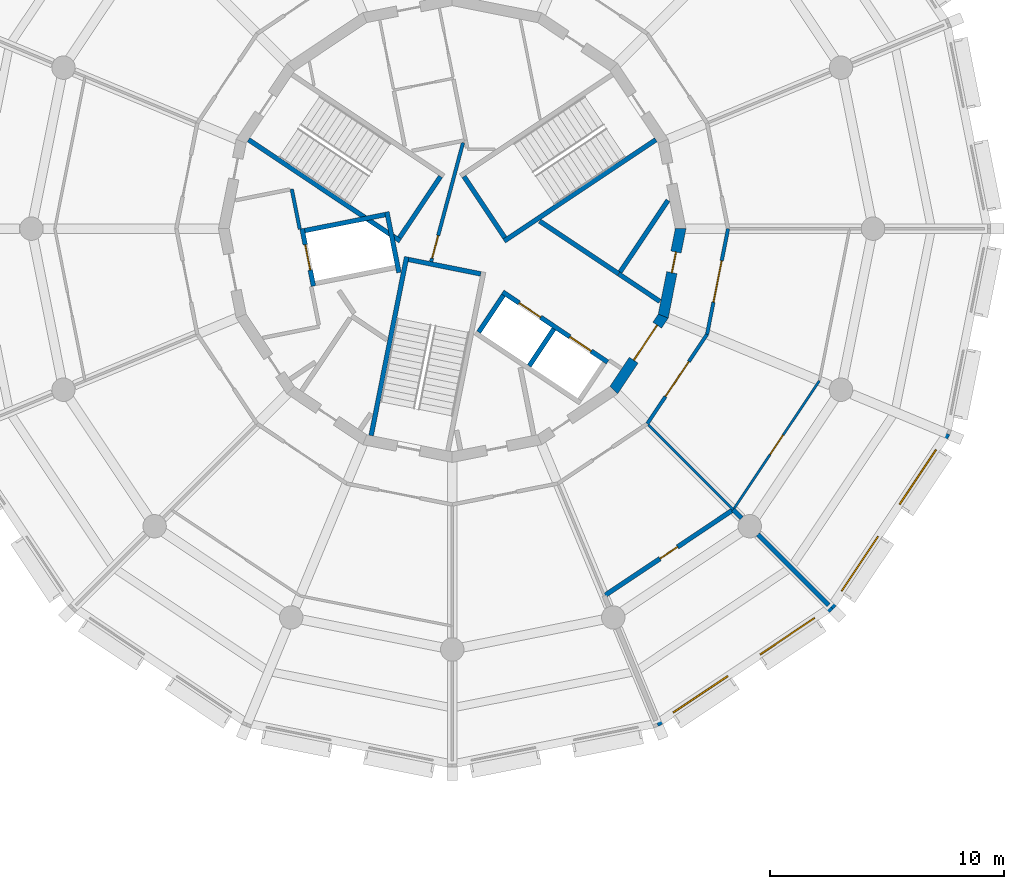
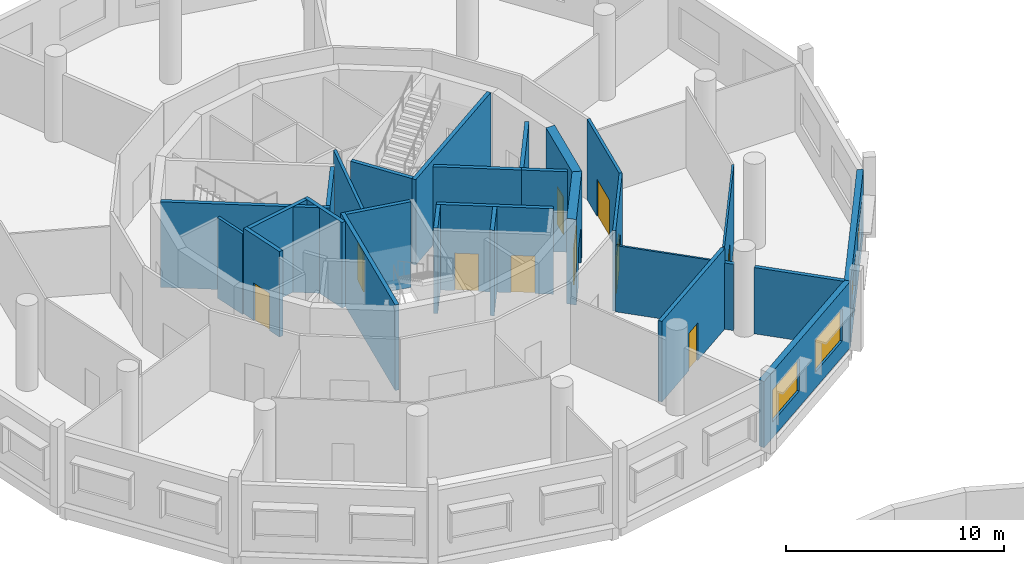
# One storey, part 4 of 8: 28 walls, 10 doors, 4 windows, 14 openings.
"""IFC4 building model written with IfcOpenShell, lengths in metres."""

from ifc_helpers import new_model, si_unit, direction, frame, frame_2d, origin, place, context, subcontext, project, spatial, polyline, rectangle, outline, extrude, material, layer, layer_set, type_object, element, fill, save


model = new_model("IFC4")

# Units and contexts
model_context = context("Model", 3, precision=1e-05, world=origin(), true_north=direction((0.0, 1.0)))
body_context = subcontext(model_context, "Body", "Model", "MODEL_VIEW")
ifc_project = project(units=[si_unit("LENGTHUNIT", "METRE"), si_unit("AREAUNIT", "SQUARE_METRE"), si_unit("VOLUMEUNIT", "CUBIC_METRE"), si_unit("PLANEANGLEUNIT", "RADIAN"), si_unit("MASSUNIT", "GRAM", prefix="KILO")], contexts=[model_context])

# Site, building, storey
site_placement = place(None, origin())
site = spatial("IfcSite", under=ifc_project, at=site_placement, CompositionType="ELEMENT")
building_placement = place(site_placement, origin())
building = spatial("IfcBuilding", under=site, at=building_placement, Name="Ceibo Conservatory and Research Tower", CompositionType="ELEMENT")
storey_placement = place(building_placement, frame((0.0, 0.0, 10.800048828125)))
storey = spatial("IfcBuildingStorey", under=building, at=storey_placement, Name="L02", CompositionType="ELEMENT", Elevation=10.800048828125)

# Wall, opening, door
ifc_material_1 = material(Name="Masonry blockwork", Category="masonry")
ifc_layer_1 = layer(ifc_material_1, 0.199951171875)
ifc_layer_set_1 = layer_set([ifc_layer_1], Name="Masonry blockwork")
wall_type_1 = type_object("IfcWallType", Name="Compartment wall 200 EI 120", PredefinedType="SOLIDWALL", material=ifc_layer_set_1)
wall_1_placement = place(storey_placement, frame((59.982666015625, 107.95361328125, 0.0), z_axis=(0.0, 0.0, 1.0), x_axis=(-0.831469879838, -0.555569832625, 0.0)))
wall_1 = element("IfcWall", 1, at=wall_1_placement, inside=storey, type_object=wall_type_1, Name="Partition 02.036", PredefinedType="SOLIDWALL", context=body_context, shape_type="SweptSolid", body=[
    extrude(rectangle(XDim=6.541015625, YDim=0.199951171875, at=frame_2d((3.2705078125, 0.0))), origin(), (0.0, 0.0, 1.0), 4.52001953125),
])
opening_1_placement = place(wall_1_placement, frame((2.8203125, 0.0, 0.0)))
opening_1 = element("IfcOpeningElement", 2, at=opening_1_placement, cuts=wall_1, Name="Opening T02-10", PredefinedType="OPENING", context=body_context, shape_type="SweptSolid", body=[
    extrude(rectangle(XDim=0.89990234375, YDim=2.10009765625, at=frame_2d((0.449951171875, 1.050048828125))), frame((0.0, 0.10986328125, 0.0), z_axis=(0.0, -1.0, 0.0), x_axis=(1.0, 0.0, 0.0)), (0.0, 0.0, 1.0), 0.219970703125),
])
ifc_material_2 = material(Name="Solid timber", Category="wood")
door_type_1 = type_object("IfcDoorType", Name="Door single 900x2100 (right hand)", OperationType="SINGLE_SWING_RIGHT", PredefinedType="DOOR", material=ifc_material_2)
door_1_placement = place(opening_1_placement, origin())
door_1 = element("IfcDoor", 3, at=door_1_placement, inside=storey, type_object=door_type_1, Name="Door T02-10", OperationType="SINGLE_SWING_RIGHT", OverallHeight=2.10009765625, OverallWidth=0.89990234375, PredefinedType="DOOR", context=body_context, shape_type="SweptSolid", body=[
    extrude(rectangle(XDim=0.89990234375, YDim=2.10009765625, at=frame_2d((0.449951171875, 1.050048828125))), frame((0.0, 0.02490234375, 0.0), z_axis=(0.0, -1.0, 0.0), x_axis=(1.0, 0.0, 0.0)), (0.0, 0.0, 1.0), 0.050048828125),
])
fill(opening_1, door_1)

# Walls
wall_2_placement = place(storey_placement, frame((60.020751953125, 107.979248046875, 0.0), z_axis=(0.0, 0.0, 1.0), x_axis=(0.707106781187, -0.707106781187, 0.0)))
element("IfcWall", 4, at=wall_2_placement, inside=storey, type_object=wall_type_1, Name="Partition 02.038", PredefinedType="SOLIDWALL", context=body_context, shape_type="SweptSolid", body=[
    extrude(rectangle(XDim=0.510009765625, YDim=0.199951171875, at=frame_2d((0.2548828125, 0.0))), origin(), (0.0, 0.0, 1.0), 3.719970703125),
])
wall_3_placement = place(storey_placement, frame((61.074462890625, 106.925537109375, 0.0), z_axis=(0.0, 0.0, 1.0), x_axis=(0.707106781187, -0.707106781187, 0.0)))
element("IfcWall", 5, at=wall_3_placement, inside=storey, type_object=wall_type_1, Name="Partition 02.039", PredefinedType="SOLIDWALL", context=body_context, shape_type="SweptSolid", body=[
    extrude(rectangle(XDim=4.27685546875, YDim=0.199951171875, at=frame_2d((2.138427734375, 0.0))), origin(), (0.0, 0.0, 1.0), 3.719970703125),
])

# Wall, opening, door
ifc_material_3 = material(Name="Concrete C40/50", Category="concrete")
ifc_layer_2 = layer(ifc_material_3, 0.449951171875)
ifc_layer_set_2 = layer_set([ifc_layer_2], Name="Concrete C40/50")
wall_type_2 = type_object("IfcWallType", Name="Core wall 450 C40", PredefinedType="SHEAR", material=ifc_layer_set_2)
wall_4_placement = place(storey_placement, frame((54.908935546875, 113.091064453125, 0.0), z_axis=(0.0, 0.0, 1.0), x_axis=(0.555542277102, 0.83148829117, 0.0)))
wall_4 = element("IfcWall", 6, at=wall_4_placement, inside=storey, type_object=wall_type_2, Name="Core wall L02 15", PredefinedType="SHEAR", context=body_context, shape_type="SweptSolid", body=[
    extrude(outline(polyline([(-0.044677734375, -0.22509765625), (3.85693359375, -0.22509765625), (3.767578125, 0.22509765625), (0.044677734375, 0.22509765625), (-0.044677734375, -0.22509765625)])), origin(), (0.0, 0.0, 1.0), 4.800048828125),
])
opening_2_placement = place(wall_4_placement, frame((1.544677734375, 0.0, 0.0)))
opening_2 = element("IfcOpeningElement", 7, at=opening_2_placement, cuts=wall_4, Name="Opening C02-14", PredefinedType="OPENING", context=body_context, shape_type="SweptSolid", body=[
    extrude(rectangle(XDim=1.800048828125, YDim=2.10009765625, at=frame_2d((0.89990234375, 1.050048828125))), frame((0.0, 0.23486328125, 0.0), z_axis=(0.0, -1.0, 0.0), x_axis=(1.0, 0.0, 0.0)), (0.0, 0.0, 1.0), 0.469970703125),
])
ifc_material_4 = material(Name="Galvanised sheet steel DX51D", Category="steel")
door_type_2 = type_object("IfcDoorType", Name="Lobby double door 1800x2100 EI 60", OperationType="DOUBLE_DOOR_SINGLE_SWING", PredefinedType="DOOR", material=ifc_material_4)
door_2_placement = place(opening_2_placement, origin())
door_2 = element("IfcDoor", 8, at=door_2_placement, inside=storey, type_object=door_type_2, Name="Lift Lobby door 02", OperationType="DOUBLE_DOOR_SINGLE_SWING", OverallHeight=2.10009765625, OverallWidth=1.800048828125, PredefinedType="DOOR", context=body_context, shape_type="SweptSolid", body=[
    extrude(rectangle(XDim=1.800048828125, YDim=2.10009765625, at=frame_2d((0.89990234375, 1.050048828125))), frame((0.0, 0.02490234375, 0.0), z_axis=(0.0, -1.0, 0.0), x_axis=(1.0, 0.0, 0.0)), (0.0, 0.0, 1.0), 0.050048828125),
])
fill(opening_2, door_2)

wall_5_placement = place(storey_placement, frame((57.02685546875, 116.260986328125, 0.0), z_axis=(0.0, 0.0, 1.0), x_axis=(0.195069197673, 0.98078948206, 0.0)))
wall_5 = element("IfcWall", 9, at=wall_5_placement, inside=storey, type_object=wall_type_2, Name="Core wall L02 16", PredefinedType="SHEAR", context=body_context, shape_type="SweptSolid", body=[
    extrude(outline(polyline([(-0.044677734375, -0.22509765625), (3.85693359375, -0.22509765625), (3.767578125, 0.22509765625), (0.044677734375, 0.22509765625), (-0.044677734375, -0.22509765625)])), origin(), (0.0, 0.0, 1.0), 4.800048828125),
])
opening_3_placement = place(wall_5_placement, frame((1.894775390625, 0.0, 0.0)))
opening_3 = element("IfcOpeningElement", 10, at=opening_3_placement, cuts=wall_5, Name="Opening C02-05", PredefinedType="OPENING", context=body_context, shape_type="SweptSolid", body=[
    extrude(rectangle(XDim=0.89990234375, YDim=2.10009765625, at=frame_2d((0.449951171875, 1.050048828125))), frame((0.0, 0.23486328125, 0.0), z_axis=(0.0, -1.0, 0.0), x_axis=(1.0, 0.0, 0.0)), (0.0, 0.0, 1.0), 0.469970703125),
])
door_type_3 = type_object("IfcDoorType", Name="Riser door 900x2100 EI 60 (right hand)", OperationType="SINGLE_SWING_RIGHT", PredefinedType="DOOR", material=ifc_material_4)
door_3_placement = place(opening_3_placement, frame((0.89990234375, 0.0, 0.0), z_axis=(0.0, 0.0, 1.0), x_axis=(-1.0, 0.0, 0.0)))
door_3 = element("IfcDoor", 11, at=door_3_placement, inside=storey, type_object=door_type_3, Name="Electrical Riser door 02", OperationType="SINGLE_SWING_RIGHT", OverallHeight=2.10009765625, OverallWidth=0.89990234375, PredefinedType="DOOR", context=body_context, shape_type="SweptSolid", body=[
    extrude(rectangle(XDim=0.89990234375, YDim=2.10009765625, at=frame_2d((0.449951171875, 1.050048828125))), frame((0.0, 0.02490234375, 0.0), z_axis=(0.0, -1.0, 0.0), x_axis=(1.0, 0.0, 0.0)), (0.0, 0.0, 1.0), 0.050048828125),
])
fill(opening_3, door_3)

# Wall
ifc_material_5 = material(Name="Plasterboard on metal studs, fire board")
ifc_layer_3 = layer(ifc_material_5, 0.14990234375)
ifc_layer_set_3 = layer_set([ifc_layer_3], Name="Plasterboard on metal studs, fire board")
wall_type_3 = type_object("IfcWallType", Name="Corridor wall 150 EI 60", PredefinedType="PARTITIONING", material=ifc_layer_set_3)
wall_6_placement = place(storey_placement, frame((41.47900390625, 119.977294921875, 0.0), z_axis=(0.0, 0.0, 1.0), x_axis=(-0.19501613536, 0.98080003413, 0.0)))
element("IfcWall", 12, at=wall_6_placement, inside=storey, type_object=wall_type_3, Name="Core partition 02.P006", PredefinedType="PARTITIONING", context=body_context, shape_type="SweptSolid", body=[
    extrude(rectangle(XDim=1.750244140625, YDim=0.14990234375, at=frame_2d((0.875, 0.0))), origin(), (0.0, 0.0, 1.0), 4.52001953125),
])

# Wall, opening, door
wall_7_placement = place(storey_placement, frame((47.10205078125, 118.595458984375, 0.0), z_axis=(0.0, 0.0, 1.0), x_axis=(0.258814124304, 0.9659271448, 0.0)))
wall_7 = element("IfcWall", 13, at=wall_7_placement, inside=storey, type_object=wall_type_3, Name="Core partition 02.P026", PredefinedType="PARTITIONING", context=body_context, shape_type="SweptSolid", body=[
    extrude(rectangle(XDim=5.2646484375, YDim=0.14990234375, at=frame_2d((2.63232421875, 0.0))), origin(), (0.0, 0.0, 1.0), 4.52001953125),
])
opening_4_placement = place(wall_7_placement, frame((0.14990234375, 0.0, 0.0)))
opening_4 = element("IfcOpeningElement", 14, at=opening_4_placement, cuts=wall_7, Name="Opening C02-18", PredefinedType="OPENING", context=body_context, shape_type="SweptSolid", body=[
    extrude(rectangle(XDim=1.0, YDim=2.10009765625, at=frame_2d((0.5, 1.050048828125))), frame((0.0, 0.0849609375, 0.0), z_axis=(0.0, -1.0, 0.0), x_axis=(1.0, 0.0, 0.0)), (0.0, 0.0, 1.0), 0.169921875),
])
door_type_4 = type_object("IfcDoorType", Name="Lobby door 1000x2100 EI 60 (right hand)", OperationType="SINGLE_SWING_RIGHT", PredefinedType="DOOR", material=ifc_material_4)
door_4_placement = place(opening_4_placement, frame((1.0, 0.0, 0.0), z_axis=(0.0, 0.0, 1.0), x_axis=(-1.0, 0.0, 0.0)))
door_4 = element("IfcDoor", 15, at=door_4_placement, inside=storey, type_object=door_type_4, Name="Door Lift Lobby 02.01", OperationType="SINGLE_SWING_RIGHT", OverallHeight=2.10009765625, OverallWidth=1.0, PredefinedType="DOOR", context=body_context, shape_type="SweptSolid", body=[
    extrude(rectangle(XDim=1.0, YDim=2.10009765625, at=frame_2d((0.5, 1.050048828125))), frame((0.0, 0.02490234375, 0.0), z_axis=(0.0, -1.0, 0.0), x_axis=(1.0, 0.0, 0.0)), (0.0, 0.0, 1.0), 0.050048828125),
])
fill(opening_4, door_4)

wall_8_placement = place(storey_placement, frame((59.800048828125, 120.0, 0.0), z_axis=(0.0, 0.0, 1.0), x_axis=(-0.19508608079, -0.980786124026, 0.0)))
wall_8 = element("IfcWall", 16, at=wall_8_placement, inside=storey, type_object=wall_type_3, Name="Partition 02.015", PredefinedType="PARTITIONING", context=body_context, shape_type="SweptSolid", body=[
    extrude(rectangle(XDim=4.60400390625, YDim=0.14990234375, at=frame_2d((2.302001953125, 0.0))), origin(), (0.0, 0.0, 1.0), 4.52001953125),
])
opening_5_placement = place(wall_8_placement, frame((1.402099609375, 0.0, 0.0)))
opening_5 = element("IfcOpeningElement", 17, at=opening_5_placement, cuts=wall_8, Name="Opening T02-12", PredefinedType="OPENING", context=body_context, shape_type="SweptSolid", body=[
    extrude(rectangle(XDim=1.800048828125, YDim=2.10009765625, at=frame_2d((0.89990234375, 1.050048828125))), frame((0.0, 0.0849609375, 0.0), z_axis=(0.0, -1.0, 0.0), x_axis=(1.0, 0.0, 0.0)), (0.0, 0.0, 1.0), 0.169921875),
])
door_type_5 = type_object("IfcDoorType", Name="Door fire double 1800x2100 EI 60", OperationType="DOUBLE_DOOR_SINGLE_SWING", PredefinedType="DOOR", material=ifc_material_4)
door_5_placement = place(opening_5_placement, origin())
door_5 = element("IfcDoor", 18, at=door_5_placement, inside=storey, type_object=door_type_5, Name="Door T02-12", OperationType="DOUBLE_DOOR_SINGLE_SWING", OverallHeight=2.10009765625, OverallWidth=1.800048828125, PredefinedType="DOOR", context=body_context, shape_type="SweptSolid", body=[
    extrude(rectangle(XDim=1.800048828125, YDim=2.10009765625, at=frame_2d((0.89990234375, 1.050048828125))), frame((0.0, 0.02490234375, 0.0), z_axis=(0.0, -1.0, 0.0), x_axis=(1.0, 0.0, 0.0)), (0.0, 0.0, 1.0), 0.050048828125),
])
fill(opening_5, door_5)

wall_9_placement = place(storey_placement, frame((58.90185546875, 115.484375, 0.0), z_axis=(0.0, 0.0, 1.0), x_axis=(-0.555544233776, -0.831486983854, 0.0)))
wall_9 = element("IfcWall", 19, at=wall_9_placement, inside=storey, type_object=wall_type_3, Name="Partition 02.016", PredefinedType="PARTITIONING", context=body_context, shape_type="SweptSolid", body=[
    extrude(rectangle(XDim=4.604248046875, YDim=0.14990234375, at=frame_2d((2.30224609375, 0.0))), origin(), (0.0, 0.0, 1.0), 4.52001953125),
])
opening_6_placement = place(wall_9_placement, frame((1.402099609375, 0.0, 0.0)))
opening_6 = element("IfcOpeningElement", 20, at=opening_6_placement, cuts=wall_9, Name="Opening T02-11", PredefinedType="OPENING", context=body_context, shape_type="SweptSolid", body=[
    extrude(rectangle(XDim=1.800048828125, YDim=2.10009765625, at=frame_2d((0.89990234375, 1.050048828125))), frame((0.0, 0.0849609375, 0.0), z_axis=(0.0, -1.0, 0.0), x_axis=(1.0, 0.0, 0.0)), (0.0, 0.0, 1.0), 0.169921875),
])
door_6_placement = place(opening_6_placement, origin())
door_6 = element("IfcDoor", 21, at=door_6_placement, inside=storey, type_object=door_type_5, Name="Door T02-11", OperationType="DOUBLE_DOOR_SINGLE_SWING", OverallHeight=2.10009765625, OverallWidth=1.800048828125, PredefinedType="DOOR", context=body_context, shape_type="SweptSolid", body=[
    extrude(rectangle(XDim=1.800048828125, YDim=2.10009765625, at=frame_2d((0.89990234375, 1.050048828125))), frame((0.0, 0.02490234375, 0.0), z_axis=(0.0, -1.0, 0.0), x_axis=(1.0, 0.0, 0.0)), (0.0, 0.0, 1.0), 0.050048828125),
])
fill(opening_6, door_6)

# Wall, openings, windows
ifc_material_6 = material(Name="Ceramic mosaic tessera")
ifc_layer_4 = layer(ifc_material_6, 0.010009765625, Name="Ceramic mosaic")
ifc_material_7 = material(Name="Polymer-modified bedding mortar")
ifc_layer_5 = layer(ifc_material_7, 0.014892578125, Name="Bedding mortar")
ifc_material_8 = material(Name="Mineral wool insulation")
ifc_layer_6 = layer(ifc_material_8, 0.050048828125, Name="Insulation")
ifc_material_9 = material(Name="Concrete C30/37", Category="concrete")
ifc_layer_7 = layer(ifc_material_9, 0.215087890625, Name="Reinforced concrete leaf")
ifc_material_10 = material(Name="Gypsum plaster")
ifc_layer_8 = layer(ifc_material_10, 0.010009765625, Name="Internal plaster")
ifc_layer_set_4 = layer_set([ifc_layer_4, ifc_layer_5, ifc_layer_6, ifc_layer_7, ifc_layer_8], Name="Concrete C30/37")
wall_type_4 = type_object("IfcWallType", Name="Facade panel wall 300", PredefinedType="SOLIDWALL", material=ifc_layer_set_4)
wall_10_placement = place(storey_placement, frame((56.763427734375, 98.84326171875, 0.0), z_axis=(0.0, 0.0, 1.0), x_axis=(0.83146552215, 0.555576354317, 0.0)))
wall_10 = element("IfcWall", 22, at=wall_10_placement, inside=storey, type_object=wall_type_4, Name="Facade wall L02 facet 14", PredefinedType="SOLIDWALL", context=body_context, shape_type="SweptSolid", body=[
    extrude(outline(polyline([(-0.02978515625, -0.14990234375), (8.96484375, -0.14990234375), (8.9052734375, 0.14990234375), (0.02978515625, 0.14990234375), (-0.02978515625, -0.14990234375)])), origin(), (0.0, 0.0, 1.0), 3.719970703125),
])
opening_7_placement = place(wall_10_placement, frame((0.833740234375, 0.0, 0.89990234375)))
opening_7 = element("IfcOpeningElement", 23, at=opening_7_placement, cuts=wall_10, Name="Opening PW2", PredefinedType="OPENING", context=body_context, shape_type="SweptSolid", body=[
    extrude(rectangle(XDim=2.800048828125, YDim=1.800048828125, at=frame_2d((1.39990234375, 0.89990234375))), frame((0.0, 0.159912109375, 0.0), z_axis=(0.0, -1.0, 0.0), x_axis=(1.0, 0.0, 0.0)), (0.0, 0.0, 1.0), 0.320068359375),
])
opening_8_placement = place(wall_10_placement, frame((5.301513671875, 0.0, 0.89990234375)))
opening_8 = element("IfcOpeningElement", 24, at=opening_8_placement, cuts=wall_10, Name="Opening PW2", PredefinedType="OPENING", context=body_context, shape_type="SweptSolid", body=[
    extrude(rectangle(XDim=2.800048828125, YDim=1.800048828125, at=frame_2d((1.39990234375, 0.89990234375))), frame((0.0, 0.159912109375, 0.0), z_axis=(0.0, -1.0, 0.0), x_axis=(1.0, 0.0, 0.0)), (0.0, 0.0, 1.0), 0.320068359375),
])
ifc_material_11 = material(Name="Aluminium frame with double glazing", Category="aluminium")
window_type = type_object("IfcWindowType", Name="Punched window PW1 2800 x 1800", PartitioningType="DOUBLE_PANEL_VERTICAL", PredefinedType="WINDOW", material=ifc_material_11)
window_1_placement = place(opening_7_placement, origin())
window_1 = element("IfcWindow", 25, at=window_1_placement, inside=storey, type_object=window_type, Name="T.L02.F13.WIN.1", OverallHeight=1.800048828125, OverallWidth=2.800048828125, PartitioningType="DOUBLE_PANEL_VERTICAL", PredefinedType="WINDOW", context=body_context, shape_type="SweptSolid", body=[
    extrude(rectangle(XDim=2.800048828125, YDim=1.800048828125, at=frame_2d((1.39990234375, 0.89990234375))), frame((0.0, 0.030029296875, 0.0), z_axis=(0.0, -1.0, 0.0), x_axis=(1.0, 0.0, 0.0)), (0.0, 0.0, 1.0), 0.06005859375),
])
fill(opening_7, window_1)
window_2_placement = place(opening_8_placement, origin())
window_2 = element("IfcWindow", 26, at=window_2_placement, inside=storey, type_object=window_type, Name="T.L02.F13.WIN.2", OverallHeight=1.800048828125, OverallWidth=2.800048828125, PartitioningType="DOUBLE_PANEL_VERTICAL", PredefinedType="WINDOW", context=body_context, shape_type="SweptSolid", body=[
    extrude(rectangle(XDim=2.800048828125, YDim=1.800048828125, at=frame_2d((1.39990234375, 0.89990234375))), frame((0.0, 0.030029296875, 0.0), z_axis=(0.0, -1.0, 0.0), x_axis=(1.0, 0.0, 0.0)), (0.0, 0.0, 1.0), 0.06005859375),
])
fill(opening_8, window_2)

wall_11_placement = place(storey_placement, frame((64.192626953125, 103.807373046875, 0.0), z_axis=(0.0, 0.0, 1.0), x_axis=(0.555576354317, 0.83146552215, 0.0)))
wall_11 = element("IfcWall", 27, at=wall_11_placement, inside=storey, type_object=wall_type_4, Name="Facade wall L02 facet 15", PredefinedType="SOLIDWALL", context=body_context, shape_type="SweptSolid", body=[
    extrude(outline(polyline([(-0.02978515625, -0.14990234375), (8.96484375, -0.14990234375), (8.9052734375, 0.14990234375), (0.02978515625, 0.14990234375), (-0.02978515625, -0.14990234375)])), origin(), (0.0, 0.0, 1.0), 3.719970703125),
])
opening_9_placement = place(wall_11_placement, frame((0.833740234375, 0.0, 0.89990234375)))
opening_9 = element("IfcOpeningElement", 28, at=opening_9_placement, cuts=wall_11, Name="Opening PW2", PredefinedType="OPENING", context=body_context, shape_type="SweptSolid", body=[
    extrude(rectangle(XDim=2.800048828125, YDim=1.800048828125, at=frame_2d((1.39990234375, 0.89990234375))), frame((0.0, 0.159912109375, 0.0), z_axis=(0.0, -1.0, 0.0), x_axis=(1.0, 0.0, 0.0)), (0.0, 0.0, 1.0), 0.320068359375),
])
opening_10_placement = place(wall_11_placement, frame((5.301513671875, 0.0, 0.89990234375)))
opening_10 = element("IfcOpeningElement", 29, at=opening_10_placement, cuts=wall_11, Name="Opening PW2", PredefinedType="OPENING", context=body_context, shape_type="SweptSolid", body=[
    extrude(rectangle(XDim=2.800048828125, YDim=1.800048828125, at=frame_2d((1.39990234375, 0.89990234375))), frame((0.0, 0.159912109375, 0.0), z_axis=(0.0, -1.0, 0.0), x_axis=(1.0, 0.0, 0.0)), (0.0, 0.0, 1.0), 0.320068359375),
])
window_3_placement = place(opening_9_placement, origin())
window_3 = element("IfcWindow", 30, at=window_3_placement, inside=storey, type_object=window_type, Name="T.L02.F14.WIN.1", OverallHeight=1.800048828125, OverallWidth=2.800048828125, PartitioningType="DOUBLE_PANEL_VERTICAL", PredefinedType="WINDOW", context=body_context, shape_type="SweptSolid", body=[
    extrude(rectangle(XDim=2.800048828125, YDim=1.800048828125, at=frame_2d((1.39990234375, 0.89990234375))), frame((0.0, 0.030029296875, 0.0), z_axis=(0.0, -1.0, 0.0), x_axis=(1.0, 0.0, 0.0)), (0.0, 0.0, 1.0), 0.06005859375),
])
fill(opening_9, window_3)
window_4_placement = place(opening_10_placement, origin())
window_4 = element("IfcWindow", 31, at=window_4_placement, inside=storey, type_object=window_type, Name="T.L02.F14.WIN.2", OverallHeight=1.800048828125, OverallWidth=2.800048828125, PartitioningType="DOUBLE_PANEL_VERTICAL", PredefinedType="WINDOW", context=body_context, shape_type="SweptSolid", body=[
    extrude(rectangle(XDim=2.800048828125, YDim=1.800048828125, at=frame_2d((1.39990234375, 0.89990234375))), frame((0.0, 0.030029296875, 0.0), z_axis=(0.0, -1.0, 0.0), x_axis=(1.0, 0.0, 0.0)), (0.0, 0.0, 1.0), 0.06005859375),
])
fill(opening_10, window_4)

# Wall
ifc_material_12 = material(Name="Plasterboard on metal studs")
ifc_layer_9 = layer(ifc_material_12, 0.10009765625)
ifc_layer_set_5 = layer_set([ifc_layer_9], Name="Plasterboard on metal studs")
wall_type_5 = type_object("IfcWallType", Name="Partition 100", PredefinedType="PARTITIONING", material=ifc_layer_set_5)
wall_12_placement = place(storey_placement, frame((56.39453125, 111.60546875, 0.0), z_axis=(0.0, 0.0, 1.0), x_axis=(0.707106781187, -0.707106781187, 0.0)))
element("IfcWall", 32, at=wall_12_placement, inside=storey, type_object=wall_type_5, Name="Partition 02.037", PredefinedType="PARTITIONING", context=body_context, shape_type="SweptSolid", body=[
    extrude(rectangle(XDim=5.128173828125, YDim=0.10009765625, at=frame_2d((2.56396484375, 0.0))), origin(), (0.0, 0.0, 1.0), 3.719970703125),
])

# Wall, opening, door
wall_13_placement = place(storey_placement, frame((63.7060546875, 113.494384765625, 0.0), z_axis=(0.0, 0.0, 1.0), x_axis=(-0.555572294061, -0.831468235155, 0.0)))
wall_13 = element("IfcWall", 33, at=wall_13_placement, inside=storey, type_object=wall_type_5, Name="Partition 02.041", PredefinedType="PARTITIONING", context=body_context, shape_type="SweptSolid", body=[
    extrude(rectangle(XDim=6.587158203125, YDim=0.10009765625, at=frame_2d((3.29345703125, 0.0))), origin(), (0.0, 0.0, 1.0), 4.52001953125),
])
opening_11_placement = place(wall_13_placement, frame((2.79345703125, 0.0, 0.0)))
opening_11 = element("IfcOpeningElement", 34, at=opening_11_placement, cuts=wall_13, Name="Opening T02-13", PredefinedType="OPENING", context=body_context, shape_type="SweptSolid", body=[
    extrude(rectangle(XDim=1.0, YDim=2.10009765625, at=frame_2d((0.5, 1.050048828125))), frame((0.0, 0.06005859375, 0.0), z_axis=(0.0, -1.0, 0.0), x_axis=(1.0, 0.0, 0.0)), (0.0, 0.0, 1.0), 0.1201171875),
])
door_type_6 = type_object("IfcDoorType", Name="Door single wide 1000x2100 (right hand)", OperationType="SINGLE_SWING_RIGHT", PredefinedType="DOOR", material=ifc_material_2)
door_7_placement = place(opening_11_placement, origin())
door_7 = element("IfcDoor", 35, at=door_7_placement, inside=storey, type_object=door_type_6, Name="Door T02-13", OperationType="SINGLE_SWING_RIGHT", OverallHeight=2.10009765625, OverallWidth=1.0, PredefinedType="DOOR", context=body_context, shape_type="SweptSolid", body=[
    extrude(rectangle(XDim=1.0, YDim=2.10009765625, at=frame_2d((0.5, 1.050048828125))), frame((0.0, 0.02490234375, 0.0), z_axis=(0.0, -1.0, 0.0), x_axis=(1.0, 0.0, 0.0)), (0.0, 0.0, 1.0), 0.050048828125),
])
fill(opening_11, door_7)

# Walls
ifc_layer_10 = layer(ifc_material_1, 0.199951171875)
ifc_layer_set_6 = layer_set([ifc_layer_10], Name="Masonry blockwork")
wall_type_6 = type_object("IfcWallType", Name="Riser wall 200 EI 120", PredefinedType="SOLIDWALL", material=ifc_layer_set_6)
wall_14_placement = place(storey_placement, frame((55.1259765625, 118.06494140625, 0.0), z_axis=(0.0, 0.0, 1.0), x_axis=(-0.831495502265, 0.555531483998, 0.0)))
element("IfcWall", 36, at=wall_14_placement, inside=storey, type_object=wall_type_6, Name="Core partition 02.P001", PredefinedType="SOLIDWALL", context=body_context, shape_type="SweptSolid", body=[
    extrude(rectangle(XDim=4.065185546875, YDim=0.199951171875, at=frame_2d((2.03271484375, 0.0))), origin(), (0.0, 0.0, 1.0), 4.52001953125),
])
wall_15_placement = place(storey_placement, frame((57.23095703125, 121.21533203125, 0.0), z_axis=(0.0, 0.0, 1.0), x_axis=(-0.555600969312, -0.831449074147, 0.0)))
element("IfcWall", 37, at=wall_15_placement, inside=storey, type_object=wall_type_6, Name="Core partition 02.P002", PredefinedType="SOLIDWALL", context=body_context, shape_type="SweptSolid", body=[
    extrude(rectangle(XDim=3.68896484375, YDim=0.199951171875, at=frame_2d((1.844482421875, 0.0))), origin(), (0.0, 0.0, 1.0), 4.52001953125),
])
wall_16_placement = place(storey_placement, frame((56.884765625, 116.8896484375, 0.0), z_axis=(0.0, 0.0, 1.0), x_axis=(-0.831446094913, 0.555605427667, 0.0)))
element("IfcWall", 38, at=wall_16_placement, inside=storey, type_object=wall_type_6, Name="Core partition 02.P003", PredefinedType="SOLIDWALL", context=body_context, shape_type="SweptSolid", body=[
    extrude(rectangle(XDim=2.115234375, YDim=0.199951171875, at=frame_2d((1.0576171875, 0.0))), origin(), (0.0, 0.0, 1.0), 4.52001953125),
])

# Wall, openings, doors
ifc_layer_11 = layer(ifc_material_3, 0.199951171875)
ifc_layer_set_7 = layer_set([ifc_layer_11], Name="Concrete C40/50")
wall_type_7 = type_object("IfcWallType", Name="Shaft wall 200 C40", PredefinedType="SHEAR", material=ifc_layer_set_7)
wall_17_placement = place(storey_placement, frame((50.160400390625, 117.29345703125, 0.0), z_axis=(0.0, 0.0, 1.0), x_axis=(0.831479497601, -0.55555543834, 0.0)))
wall_17 = element("IfcWall", 39, at=wall_17_placement, inside=storey, type_object=wall_type_7, Name="Shaft wall LRB.F L02", PredefinedType="SHEAR", context=body_context, shape_type="SweptSolid", body=[
    extrude(rectangle(XDim=5.39990234375, YDim=0.199951171875, at=frame_2d((2.699951171875, 0.0))), origin(), (0.0, 0.0, 1.0), 4.800048828125),
])
opening_12_placement = place(wall_17_placement, frame((0.85009765625, 0.0, 0.0)))
opening_12 = element("IfcOpeningElement", 40, at=opening_12_placement, cuts=wall_17, Name="Opening LD-LP1-02", PredefinedType="OPENING", context=body_context, shape_type="SweptSolid", body=[
    extrude(rectangle(XDim=1.10009765625, YDim=2.10009765625, at=frame_2d((0.550048828125, 1.050048828125))), frame((0.0, 0.10986328125, 0.0), z_axis=(0.0, -1.0, 0.0), x_axis=(1.0, 0.0, 0.0)), (0.0, 0.0, 1.0), 0.219970703125),
])
opening_13_placement = place(wall_17_placement, frame((3.4501953125, 0.0, 0.0)))
opening_13 = element("IfcOpeningElement", 41, at=opening_13_placement, cuts=wall_17, Name="Opening LD-LP2-02", PredefinedType="OPENING", context=body_context, shape_type="SweptSolid", body=[
    extrude(rectangle(XDim=1.10009765625, YDim=2.10009765625, at=frame_2d((0.550048828125, 1.050048828125))), frame((0.0, 0.10986328125, 0.0), z_axis=(0.0, -1.0, 0.0), x_axis=(1.0, 0.0, 0.0)), (0.0, 0.0, 1.0), 0.219970703125),
])
ifc_material_13 = material(Name="Stainless steel AISI 316", Category="steel")
door_type_7 = type_object("IfcDoorType", Name="Lift landing door 1100x2100 EI 120", OperationType="SLIDING_TO_LEFT", PredefinedType="DOOR", material=ifc_material_13)
door_8_placement = place(opening_12_placement, origin())
door_8 = element("IfcDoor", 42, at=door_8_placement, inside=storey, type_object=door_type_7, Name="Lift landing door LP1 02", OperationType="SLIDING_TO_LEFT", OverallHeight=2.10009765625, OverallWidth=1.10009765625, PredefinedType="DOOR", context=body_context, shape_type="SweptSolid", body=[
    extrude(rectangle(XDim=1.10009765625, YDim=2.10009765625, at=frame_2d((0.550048828125, 1.050048828125))), frame((0.0, 0.02490234375, 0.0), z_axis=(0.0, -1.0, 0.0), x_axis=(1.0, 0.0, 0.0)), (0.0, 0.0, 1.0), 0.050048828125),
])
fill(opening_12, door_8)
door_9_placement = place(opening_13_placement, origin())
door_9 = element("IfcDoor", 43, at=door_9_placement, inside=storey, type_object=door_type_7, Name="Lift landing door LP2 02", OperationType="SLIDING_TO_LEFT", OverallHeight=2.10009765625, OverallWidth=1.10009765625, PredefinedType="DOOR", context=body_context, shape_type="SweptSolid", body=[
    extrude(rectangle(XDim=1.10009765625, YDim=2.10009765625, at=frame_2d((0.550048828125, 1.050048828125))), frame((0.0, 0.02490234375, 0.0), z_axis=(0.0, -1.0, 0.0), x_axis=(1.0, 0.0, 0.0)), (0.0, 0.0, 1.0), 0.050048828125),
])
fill(opening_13, door_9)

# Walls
wall_18_placement = place(storey_placement, frame((50.18798828125, 117.15478515625, 0.0), z_axis=(0.0, 0.0, 1.0), x_axis=(-0.555559945722, -0.831476485963, 0.0)))
element("IfcWall", 44, at=wall_18_placement, inside=storey, type_object=wall_type_7, Name="Shaft wall LRB.X0 L02", PredefinedType="SHEAR", context=body_context, shape_type="SweptSolid", body=[
    extrude(rectangle(XDim=1.899658203125, YDim=0.199951171875, at=frame_2d((0.94970703125, 0.0))), origin(), (0.0, 0.0, 1.0), 4.800048828125),
])
wall_19_placement = place(storey_placement, frame((52.349853515625, 115.71044921875, 0.0), z_axis=(0.0, 0.0, 1.0), x_axis=(-0.55550058618, -0.831516144614, 0.0)))
element("IfcWall", 45, at=wall_19_placement, inside=storey, type_object=wall_type_7, Name="Shaft wall LRB.X1 L02", PredefinedType="SHEAR", context=body_context, shape_type="SweptSolid", body=[
    extrude(rectangle(XDim=1.89990234375, YDim=0.199951171875, at=frame_2d((0.949951171875, 0.0))), origin(), (0.0, 0.0, 1.0), 4.800048828125),
])

# Wall, opening, door
wall_20_placement = place(storey_placement, frame((41.5771484375, 119.996826171875, 0.0), z_axis=(0.0, 0.0, 1.0), x_axis=(0.195120673769, -0.980779242576, 0.0)))
wall_20 = element("IfcWall", 46, at=wall_20_placement, inside=storey, type_object=wall_type_7, Name="Shaft wall LG1.F L02", PredefinedType="SHEAR", context=body_context, shape_type="SweptSolid", body=[
    extrude(rectangle(XDim=2.5, YDim=0.199951171875, at=frame_2d((1.25, 0.0))), origin(), (0.0, 0.0, 1.0), 4.800048828125),
])
opening_14_placement = place(wall_20_placement, frame((0.699951171875, 0.0, 0.0)))
opening_14 = element("IfcOpeningElement", 47, at=opening_14_placement, cuts=wall_20, Name="Opening LD-LG1-02", PredefinedType="OPENING", context=body_context, shape_type="SweptSolid", body=[
    extrude(rectangle(XDim=1.10009765625, YDim=2.10009765625, at=frame_2d((0.550048828125, 1.050048828125))), frame((0.0, 0.10986328125, 0.0), z_axis=(0.0, -1.0, 0.0), x_axis=(1.0, 0.0, 0.0)), (0.0, 0.0, 1.0), 0.219970703125),
])
door_10_placement = place(opening_14_placement, origin())
door_10 = element("IfcDoor", 48, at=door_10_placement, inside=storey, type_object=door_type_7, Name="Lift landing door LG1 02", OperationType="SLIDING_TO_LEFT", OverallHeight=2.10009765625, OverallWidth=1.10009765625, PredefinedType="DOOR", context=body_context, shape_type="SweptSolid", body=[
    extrude(rectangle(XDim=1.10009765625, YDim=2.10009765625, at=frame_2d((0.550048828125, 1.050048828125))), frame((0.0, 0.02490234375, 0.0), z_axis=(0.0, -1.0, 0.0), x_axis=(1.0, 0.0, 0.0)), (0.0, 0.0, 1.0), 0.050048828125),
])
fill(opening_14, door_10)

# Walls
wall_21_placement = place(storey_placement, frame((45.2060546875, 120.71875, 0.0), z_axis=(0.0, 0.0, 1.0), x_axis=(0.195158270522, -0.980771762158, 0.0)))
element("IfcWall", 49, at=wall_21_placement, inside=storey, type_object=wall_type_7, Name="Shaft wall LG1.B L02", PredefinedType="SHEAR", context=body_context, shape_type="SweptSolid", body=[
    extrude(rectangle(XDim=2.64697265625, YDim=0.199951171875, at=frame_2d((1.323486328125, 0.0))), origin(), (0.0, 0.0, 1.0), 4.800048828125),
])
wall_22_placement = place(storey_placement, frame((45.12744140625, 120.60107421875, 0.0), z_axis=(0.0, 0.0, 1.0), x_axis=(-0.980794727808, -0.195042820694, 0.0)))
element("IfcWall", 50, at=wall_22_placement, inside=storey, type_object=wall_type_7, Name="Shaft wall LG1.S2 L02", PredefinedType="SHEAR", context=body_context, shape_type="SweptSolid", body=[
    extrude(rectangle(XDim=3.499755859375, YDim=0.199951171875, at=frame_2d((1.75, 0.0))), origin(), (0.0, 0.0, 1.0), 4.800048828125),
])
ifc_layer_12 = layer(ifc_material_3, 0.199951171875)
ifc_layer_set_8 = layer_set([ifc_layer_12], Name="Concrete C40/50")
wall_type_8 = type_object("IfcWallType", Name="Stair wall 200 C40", PredefinedType="SHEAR", material=ifc_layer_set_8)
wall_23_placement = place(storey_placement, frame((50.225830078125, 119.472900390625, 0.0), z_axis=(0.0, 0.0, 1.0), x_axis=(0.831486463828, 0.555545012102, 0.0)))
element("IfcWall", 51, at=wall_23_placement, inside=storey, type_object=wall_type_8, Name="Stair wall ST1.W2 L02", PredefinedType="SHEAR", context=body_context, shape_type="SweptSolid", body=[
    extrude(rectangle(XDim=7.800048828125, YDim=0.199951171875, at=frame_2d((3.89990234375, 0.0))), origin(), (0.0, 0.0, 1.0), 4.800048828125),
])
wall_24_placement = place(storey_placement, frame((50.25341796875, 119.611572265625, 0.0), z_axis=(0.0, 0.0, 1.0), x_axis=(-0.55555842186, 0.831477504146, 0.0)))
element("IfcWall", 52, at=wall_24_placement, inside=storey, type_object=wall_type_8, Name="Stair wall ST1.W3 L02", PredefinedType="SHEAR", context=body_context, shape_type="SweptSolid", body=[
    extrude(rectangle(XDim=3.14990234375, YDim=0.199951171875, at=frame_2d((1.574951171875, 0.0))), origin(), (0.0, 0.0, 1.0), 4.800048828125),
])
wall_25_placement = place(storey_placement, frame((45.774169921875, 119.472900390625, 0.0), z_axis=(0.0, 0.0, 1.0), x_axis=(-0.831486463828, 0.555545012102, 0.0)))
element("IfcWall", 53, at=wall_25_placement, inside=storey, type_object=wall_type_8, Name="Stair wall ST2.W1 L02", PredefinedType="SHEAR", context=body_context, shape_type="SweptSolid", body=[
    extrude(rectangle(XDim=7.800048828125, YDim=0.199951171875, at=frame_2d((3.89990234375, 0.0))), origin(), (0.0, 0.0, 1.0), 4.800048828125),
])
wall_26_placement = place(storey_placement, frame((47.49658203125, 122.230712890625, 0.0), z_axis=(0.0, 0.0, 1.0), x_axis=(-0.55555842186, -0.831477504146, 0.0)))
element("IfcWall", 54, at=wall_26_placement, inside=storey, type_object=wall_type_8, Name="Stair wall ST2.W3 L02", PredefinedType="SHEAR", context=body_context, shape_type="SweptSolid", body=[
    extrude(rectangle(XDim=3.14990234375, YDim=0.199951171875, at=frame_2d((1.574951171875, 0.0))), origin(), (0.0, 0.0, 1.0), 4.800048828125),
])
wall_27_placement = place(storey_placement, frame((46.05322265625, 118.798828125, 0.0), z_axis=(0.0, 0.0, 1.0), x_axis=(-0.195092759861, -0.980784795483, 0.0)))
element("IfcWall", 55, at=wall_27_placement, inside=storey, type_object=wall_type_8, Name="Stair wall ST3.W2 L02", PredefinedType="SHEAR", context=body_context, shape_type="SweptSolid", body=[
    extrude(rectangle(XDim=7.800048828125, YDim=0.199951171875, at=frame_2d((3.89990234375, 0.0))), origin(), (0.0, 0.0, 1.0), 4.800048828125),
])
wall_28_placement = place(storey_placement, frame((46.1318359375, 118.68115234375, 0.0), z_axis=(0.0, 0.0, 1.0), x_axis=(0.980785830564, -0.195087556151, 0.0)))
element("IfcWall", 56, at=wall_28_placement, inside=storey, type_object=wall_type_8, Name="Stair wall ST3.W3 L02", PredefinedType="SHEAR", context=body_context, shape_type="SweptSolid", body=[
    extrude(rectangle(XDim=3.14990234375, YDim=0.199951171875, at=frame_2d((1.574951171875, 0.0))), origin(), (0.0, 0.0, 1.0), 4.800048828125),
])

save(model, "model.ifc")
